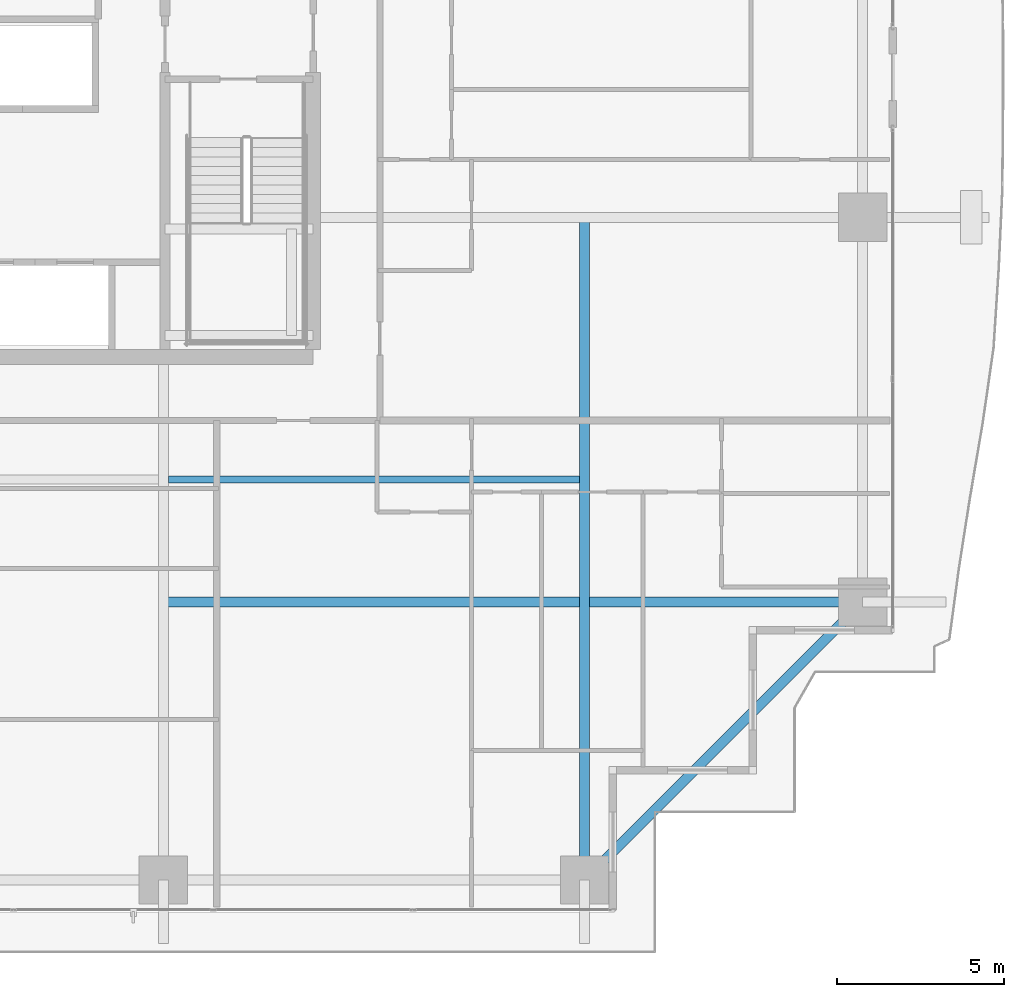
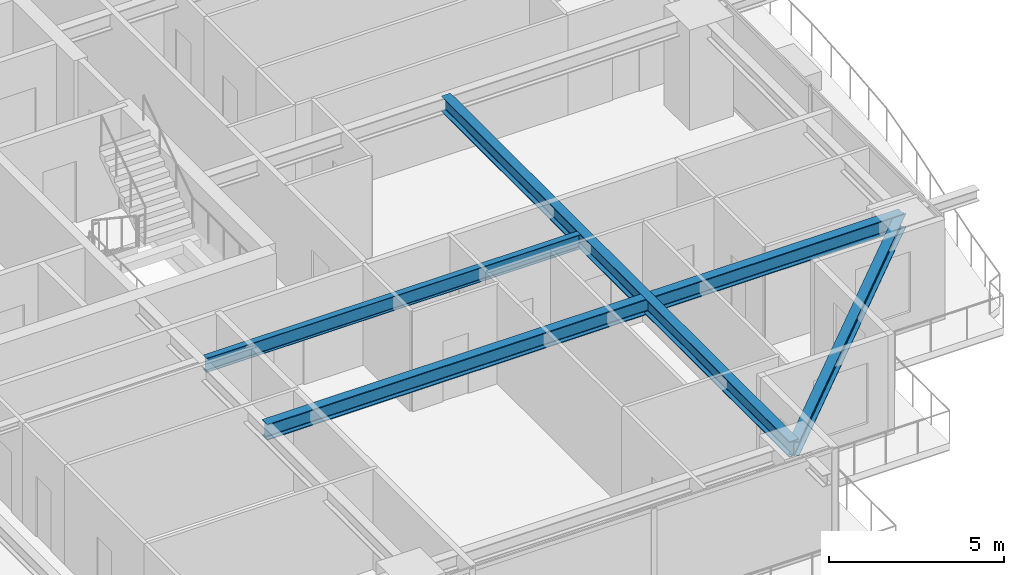
# One storey, part 11 of 38: 4 beams.
"""IFC4 building model written with IfcOpenShell, lengths in metres."""

from ifc_helpers import new_model, si_unit, direction, frame, origin, origin_2d, place, context, subcontext, project, spatial, i_section, extrude, source, transform, mapped, material, material_profile, profile_set, type_object, element, save


model = new_model("IFC4")

# Units and contexts
model_context = context("Model", 3, precision=1e-05, world=origin(), true_north=direction((0.0, 1.0)))
body_context = subcontext(model_context, "Body", "Model", "MODEL_VIEW")
ifc_project = project(units=[si_unit("LENGTHUNIT", "METRE"), si_unit("AREAUNIT", "SQUARE_METRE"), si_unit("VOLUMEUNIT", "CUBIC_METRE"), si_unit("PLANEANGLEUNIT", "RADIAN"), si_unit("MASSUNIT", "GRAM", prefix="KILO")], contexts=[model_context])

# Site, building, storey
site_placement = place(None, origin())
site = spatial("IfcSite", under=ifc_project, at=site_placement, CompositionType="ELEMENT")
building_placement = place(site_placement, origin())
building = spatial("IfcBuilding", under=site, at=building_placement, Name="Serunith Strait Residences", CompositionType="ELEMENT")
storey_placement = place(building_placement, frame((0.0, 0.0, 30.449951171875)))
storey = spatial("IfcBuildingStorey", under=building, at=storey_placement, Name="L06", CompositionType="ELEMENT", Elevation=30.449951171875)

# Beams
ifc_material = material(Name="Steel S355J2", Category="steel")
ifc_material_profile_1 = material_profile(ifc_material, i_section(OverallWidth=0.300048828125, OverallDepth=0.550048828125, WebThickness=0.014892578125, FlangeThickness=0.029052734375, FilletRadius=0.027099609375, at=origin_2d()), Name="HEB 550")
ifc_profile_set_1 = profile_set([ifc_material_profile_1], Name="Steel S355J2")
beam_type_1 = type_object("IfcBeamType", Name="BM-HEB550", PredefinedType="BEAM", material=ifc_profile_set_1)
shared_shape_1 = source(origin(), body_context, "Body", "SweptSolid", [
    extrude(i_section(OverallWidth=0.300048828125, OverallDepth=0.550048828125, WebThickness=0.014892578125, FlangeThickness=0.029052734375, FilletRadius=0.027099609375, at=origin_2d()), origin(), (0.0, 0.0, 1.0), 19.89990234375),
])
beam_1_placement = place(storey_placement, frame((49.550048828125, 21.0, 3.212158203125), z_axis=(0.0, -1.0, 0.0), x_axis=(1.0, 0.0, 0.0)))
element("IfcBeam", 1, at=beam_1_placement, inside=storey, type_object=beam_type_1, Name="L06 Orthogonal Corner Girder TC-S4", PredefinedType="BEAM", context=body_context, shape_type="MappedRepresentation", body=[
    mapped(shared_shape_1, transform((0.0, 0.0, 0.0), scale=1.0)),
])
shared_shape_2 = source(origin(), body_context, "Body", "SweptSolid", [
    extrude(i_section(OverallWidth=0.300048828125, OverallDepth=0.550048828125, WebThickness=0.014892578125, FlangeThickness=0.029052734375, FilletRadius=0.027099609375, at=origin_2d()), origin(), (0.0, 0.0, 1.0), 21.0),
])
beam_2_placement = place(storey_placement, frame((36.89990234375, 9.449951171875, 3.212158203125), z_axis=(1.0, 0.0, 0.0), x_axis=(0.0, 1.0, 0.0)))
element("IfcBeam", 2, at=beam_2_placement, inside=storey, type_object=beam_type_1, Name="L06 Orthogonal Corner Girder TC-E1", PredefinedType="BEAM", context=body_context, shape_type="MappedRepresentation", body=[
    mapped(shared_shape_2, transform((0.0, 0.0, 0.0), scale=1.0)),
])
ifc_material_profile_2 = material_profile(ifc_material, i_section(OverallWidth=0.300048828125, OverallDepth=0.5, WebThickness=0.014404296875, FlangeThickness=0.028076171875, FilletRadius=0.027099609375, at=origin_2d()), Name="HEB 500")
ifc_profile_set_2 = profile_set([ifc_material_profile_2], Name="Steel S355J2")
beam_type_2 = type_object("IfcBeamType", Name="BM-HEB500", PredefinedType="BEAM", material=ifc_profile_set_2)
shared_shape_3 = source(origin(), body_context, "Body", "SweptSolid", [
    extrude(i_section(OverallWidth=0.300048828125, OverallDepth=0.5, WebThickness=0.014404296875, FlangeThickness=0.028076171875, FilletRadius=0.027099609375, at=origin_2d()), origin(), (0.0, 0.0, 1.0), 11.80859375),
])
beam_3_placement = place(storey_placement, frame((49.550048828125, 1.10009765625, 3.20703125), z_axis=(0.707106781187, 0.707106781187, 0.0), x_axis=(-0.707106781187, 0.707106781187, 0.0)))
element("IfcBeam", 3, at=beam_3_placement, inside=storey, type_object=beam_type_2, Name="L06 Perimeter Ring Beam 04", PredefinedType="BEAM", context=body_context, shape_type="MappedRepresentation", body=[
    mapped(shared_shape_3, transform((0.0, 0.0, 0.0), scale=1.0)),
])
ifc_material_profile_3 = material_profile(ifc_material, i_section(OverallWidth=0.199951171875, OverallDepth=0.5, WebThickness=0.01025390625, FlangeThickness=0.01611328125, FilletRadius=0.02099609375, at=origin_2d()), Name="IPE 500")
ifc_profile_set_3 = profile_set([ifc_material_profile_3], Name="Steel S355J2")
beam_type_3 = type_object("IfcBeamType", Name="BM-IPE500", PredefinedType="JOIST", material=ifc_profile_set_3)
shared_shape_4 = source(origin(), body_context, "Body", "SweptSolid", [
    extrude(i_section(OverallWidth=0.199951171875, OverallDepth=0.5, WebThickness=0.01025390625, FlangeThickness=0.01611328125, FilletRadius=0.02099609375, at=origin_2d()), origin(), (0.0, 0.0, 1.0), 12.349853515625),
])
beam_4_placement = place(storey_placement, frame((37.050048828125, 13.125, 3.237060546875), z_axis=(1.0, 0.0, 0.0), x_axis=(0.0, 1.0, 0.0)))
element("IfcBeam", 4, at=beam_4_placement, inside=storey, type_object=beam_type_3, Name="L06 Composite Floor Joist 03", PredefinedType="JOIST", context=body_context, shape_type="MappedRepresentation", body=[
    mapped(shared_shape_4, transform((0.0, 0.0, 0.0), scale=1.0)),
])

save(model, "model.ifc")
